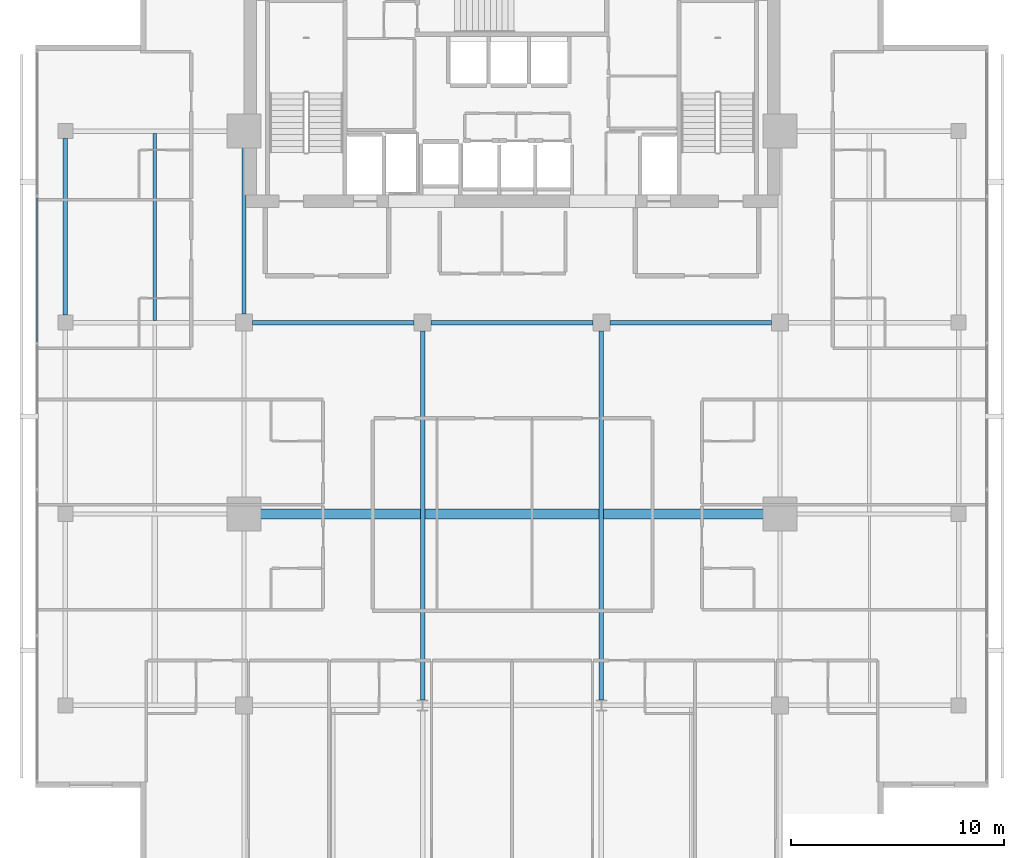
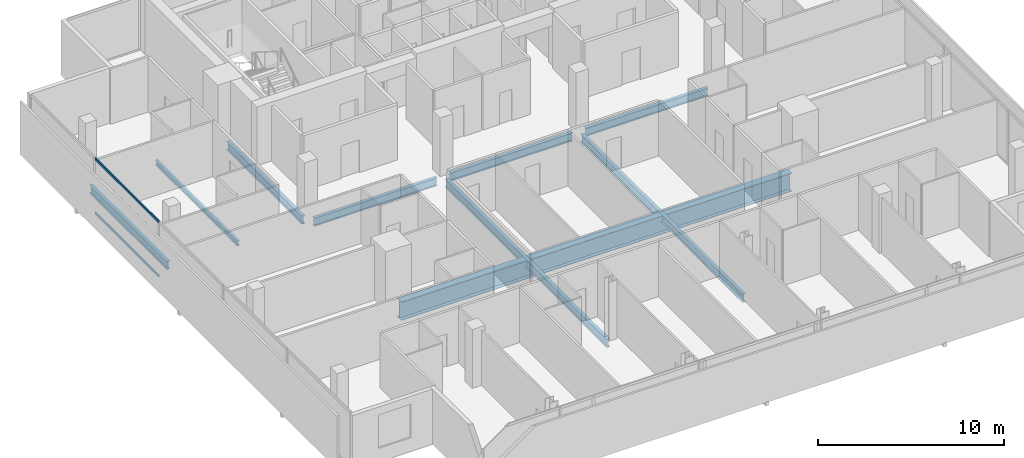
# One storey, part 9 of 26: 9 beams, 2 members, 1 element without a shape of its own.
"""IFC4 building model written with IfcOpenShell, lengths in metres."""

from ifc_helpers import new_model, si_unit, direction, frame, origin, origin_2d, place, context, subcontext, project, spatial, hollow_rectangle, i_section, extrude, material, layer, layer_set, material_profile, profile_set, type_object, element, aggregate, save


model = new_model("IFC4")

# Units and contexts
model_context = context("Model", 3, precision=1e-05, world=origin(), true_north=direction((0.0, 1.0)))
body_context = subcontext(model_context, "Body", "Model", "MODEL_VIEW")
ifc_project = project(units=[si_unit("LENGTHUNIT", "METRE"), si_unit("AREAUNIT", "SQUARE_METRE"), si_unit("VOLUMEUNIT", "CUBIC_METRE"), si_unit("PLANEANGLEUNIT", "RADIAN"), si_unit("MASSUNIT", "GRAM", prefix="KILO")], contexts=[model_context])

# Site, building, storey
site_placement = place(None, origin())
site = spatial("IfcSite", under=ifc_project, at=site_placement, CompositionType="ELEMENT")
building_placement = place(site_placement, origin())
building = spatial("IfcBuilding", under=site, at=building_placement, Name="Maruvema Waterfront Hotel and Observation Tower", CompositionType="ELEMENT")
storey_placement = place(building_placement, frame((0.0, 0.0, 254.800048828125)))
storey = spatial("IfcBuildingStorey", under=building, at=storey_placement, Name="L62", CompositionType="ELEMENT", Elevation=254.800048828125)

# Curtain wall, members
ifc_material_1 = material(Name="Anodised bronze aluminium and solar-control low-E IGU", Category="aluminium")
ifc_layer = layer(ifc_material_1, 0.159912109375, Name="Zone 3 Champagne Inner Thermal Curtain Wall System CW-04")
ifc_layer_set = layer_set([ifc_layer], Name="Anodised bronze aluminium and solar-control low-E IGU")
curtain_wall_type = type_object("IfcCurtainWallType", Name="Zone 3 Champagne Inner Thermal Curtain Wall System CW-04", PredefinedType="USERDEFINED", material=ifc_layer_set)
curtain_wall_placement = place(storey_placement, origin())
curtain_wall = element("IfcCurtainWall", 1, at=curtain_wall_placement, inside=storey, type_object=curtain_wall_type, Name="L62 Curtain Wall CW-L62-W", ObjectType="UNITISED CURTAIN WALL", PredefinedType="USERDEFINED")
ifc_material_2 = material(Name="Anodised architectural bronze aluminium", Category="aluminium")
ifc_material_profile_1 = material_profile(ifc_material_2, hollow_rectangle(XDim=0.070068359375, YDim=0.14990234375, WallThickness=0.00390625, at=origin_2d()), Name="ALU-T70x150")
ifc_profile_set_1 = profile_set([ifc_material_profile_1], Name="Anodised architectural bronze aluminium")
member_type = type_object("IfcMemberType", Name="Curtain Wall Horizontal Transom ALU-T70x150", PredefinedType="USERDEFINED", material=ifc_profile_set_1)
member_1_placement = place(storey_placement, frame((15.47998046875, 41.889892578125, 0.030029296875), z_axis=(0.0, -1.0, 0.0), x_axis=(1.0, 0.0, 0.0)))
member_1 = element("IfcMember", 2, at=member_1_placement, type_object=member_type, Name="CW-04 transom 2.1", ObjectType="TRANSOM", PredefinedType="USERDEFINED", context=body_context, shape_type="SweptSolid", body=[
    extrude(hollow_rectangle(XDim=0.070068359375, YDim=0.14990234375, WallThickness=0.00390625, at=origin_2d()), origin(), (0.0, 0.0, 1.0), 6.81982421875),
])
member_2_placement = place(storey_placement, frame((15.47998046875, 41.889892578125, 3.579833984375), z_axis=(0.0, -1.0, 0.0), x_axis=(1.0, 0.0, 0.0)))
member_2 = element("IfcMember", 3, at=member_2_placement, type_object=member_type, Name="CW-04 transom 2.2", ObjectType="TRANSOM", PredefinedType="USERDEFINED", context=body_context, shape_type="SweptSolid", body=[
    extrude(hollow_rectangle(XDim=0.070068359375, YDim=0.14990234375, WallThickness=0.00390625, at=origin_2d()), origin(), (0.0, 0.0, 1.0), 6.81982421875),
])
aggregate(curtain_wall, [member_1, member_2])

# Beams
ifc_material_3 = material(Name="Steel ASTM A572 Grade 50", Category="steel")
ifc_material_profile_2 = material_profile(ifc_material_3, i_section(OverallWidth=0.208984375, OverallDepth=0.532958984375, WebThickness=0.01025390625, FlangeThickness=0.015625, FilletRadius=0.014892578125, at=origin_2d()), Name="W530x92.0")
ifc_profile_set_2 = profile_set([ifc_material_profile_2], Name="Steel ASTM A572 Grade 50")
beam_type_1 = type_object("IfcBeamType", Name="Primary Floor Girder W530x92.0", PredefinedType="BEAM", material=ifc_profile_set_2)
beam_1_placement = place(storey_placement, frame((25.60009765625, 36.0, -0.506591796875), z_axis=(1.0, 0.0, 0.0), x_axis=(0.0, 1.0, 0.0)))
element("IfcBeam", 4, at=beam_1_placement, inside=storey, type_object=beam_type_1, Name="L62 Floor Girder EW-13", PredefinedType="BEAM", context=body_context, shape_type="SweptSolid", body=[
    extrude(i_section(OverallWidth=0.208984375, OverallDepth=0.532958984375, WebThickness=0.01025390625, FlangeThickness=0.015625, FilletRadius=0.014892578125, at=origin_2d()), origin(), (0.0, 0.0, 1.0), 7.599853515625),
])
for number, where, z_axis, x_axis, name in (
    (5, (34.0, 36.0, -0.506591796875), (1.0, 0.0, 0.0), (0.0, 1.0, 0.0), "L62 Floor Girder EW-14"),
    (6, (42.39990234375, 36.0, -0.506591796875), (1.0, 0.0, 0.0), (0.0, 1.0, 0.0), "L62 Floor Girder EW-15"),
):
    element("IfcBeam", number, at=place(storey_placement, frame(where, z_axis=z_axis, x_axis=x_axis)), inside=storey, type_object=beam_type_1, Name=name, PredefinedType="BEAM", context=body_context, shape_type="SweptSolid", body=[
        extrude(i_section(OverallWidth=0.208984375, OverallDepth=0.532958984375, WebThickness=0.01025390625, FlangeThickness=0.015625, FilletRadius=0.014892578125, at=origin_2d()), origin(), (0.0, 0.0, 1.0), 7.60009765625),
    ])
beam_2_placement = place(storey_placement, frame((16.800048828125, 36.35009765625, -0.506591796875), z_axis=(0.0, 1.0, 0.0), x_axis=(-1.0, 0.0, 0.0)))
element("IfcBeam", 7, at=beam_2_placement, inside=storey, type_object=beam_type_1, Name="L62 Floor Girder NS-03", PredefinedType="BEAM", context=body_context, shape_type="SweptSolid", body=[
    extrude(i_section(OverallWidth=0.208984375, OverallDepth=0.532958984375, WebThickness=0.01025390625, FlangeThickness=0.015625, FilletRadius=0.014892578125, at=origin_2d()), origin(), (0.0, 0.0, 1.0), 8.2998046875),
])
beam_3_placement = place(storey_placement, frame((25.199951171875, 36.39990234375, -0.506591796875), z_axis=(0.0, 1.0, 0.0), x_axis=(-1.0, 0.0, 0.0)))
element("IfcBeam", 8, at=beam_3_placement, inside=storey, type_object=beam_type_1, Name="L62 Floor Girder NS-07", PredefinedType="BEAM", context=body_context, shape_type="SweptSolid", body=[
    extrude(i_section(OverallWidth=0.208984375, OverallDepth=0.532958984375, WebThickness=0.01025390625, FlangeThickness=0.015625, FilletRadius=0.014892578125, at=origin_2d()), origin(), (0.0, 0.0, 1.0), 8.10009765625),
])
for number, where, z_axis, x_axis, name in (
    (9, (33.60009765625, 18.25, -0.506591796875), (0.0, 1.0, 0.0), (-1.0, 0.0, 0.0), "L62 Floor Girder NS-09"),
    (10, (42.0, 18.25, -0.506591796875), (0.0, 1.0, 0.0), (-1.0, 0.0, 0.0), "L62 Floor Girder NS-11"),
):
    element("IfcBeam", number, at=place(storey_placement, frame(where, z_axis=z_axis, x_axis=x_axis)), inside=storey, type_object=beam_type_1, Name=name, PredefinedType="BEAM", context=body_context, shape_type="SweptSolid", body=[
        extrude(i_section(OverallWidth=0.208984375, OverallDepth=0.532958984375, WebThickness=0.01025390625, FlangeThickness=0.015625, FilletRadius=0.014892578125, at=origin_2d()), origin(), (0.0, 0.0, 1.0), 17.35009765625),
    ])
ifc_material_4 = material(Name="Steel ASTM A572 Grade 50", Category="steel")
ifc_material_profile_3 = material_profile(ifc_material_4, i_section(OverallWidth=0.1650390625, OverallDepth=0.31005859375, WebThickness=0.005859375, FlangeThickness=0.009765625, FilletRadius=0.012939453125, at=origin_2d()), Name="W310x38.7")
ifc_profile_set_3 = profile_set([ifc_material_profile_3], Name="Steel ASTM A572 Grade 50")
beam_type_2 = type_object("IfcBeamType", Name="Secondary Floor Joist W310x38.7", PredefinedType="JOIST", material=ifc_profile_set_3)
beam_4_placement = place(storey_placement, frame((21.0, 36.1044921875, -0.39501953125), z_axis=(0.0, 1.0, 0.0), x_axis=(-1.0, 0.0, 0.0)))
element("IfcBeam", 11, at=beam_4_placement, inside=storey, type_object=beam_type_2, Name="L62 Secondary Floor Joist JS-03", PredefinedType="JOIST", context=body_context, shape_type="SweptSolid", body=[
    extrude(i_section(OverallWidth=0.1650390625, OverallDepth=0.31005859375, WebThickness=0.005859375, FlangeThickness=0.009765625, FilletRadius=0.012939453125, at=origin_2d()), origin(), (0.0, 0.0, 1.0), 8.791015625),
])
ifc_material_5 = material(Name="Steel ABNT NBR 7007 AR 415 (ASTM A572 Grade 50)", Category="steel")
ifc_material_profile_4 = material_profile(ifc_material_5, i_section(OverallWidth=0.449951171875, OverallDepth=1.199951171875, WebThickness=0.01904296875, FlangeThickness=0.031982421875, at=origin_2d()), Name="VS1200x366")
ifc_profile_set_4 = profile_set([ifc_material_profile_4], Name="Steel ABNT NBR 7007 AR 415 (ASTM A572 Grade 50)")
beam_type_3 = type_object("IfcBeamType", Name="Upper Setback Transfer Girder VS1200x366", PredefinedType="USERDEFINED", material=ifc_profile_set_4)
beam_5_placement = place(storey_placement, frame((25.699951171875, 27.0, -0.840087890625), z_axis=(1.0, 0.0, 0.0), x_axis=(0.0, 1.0, 0.0)))
element("IfcBeam", 12, at=beam_5_placement, inside=storey, type_object=beam_type_3, Name="L62 Floor Girder EW-10", ObjectType="TRANSFER GIRDER", PredefinedType="USERDEFINED", context=body_context, shape_type="SweptSolid", body=[
    extrude(i_section(OverallWidth=0.449951171875, OverallDepth=1.199951171875, WebThickness=0.01904296875, FlangeThickness=0.031982421875, at=origin_2d()), origin(), (0.0, 0.0, 1.0), 24.199951171875),
])

save(model, "model.ifc")
